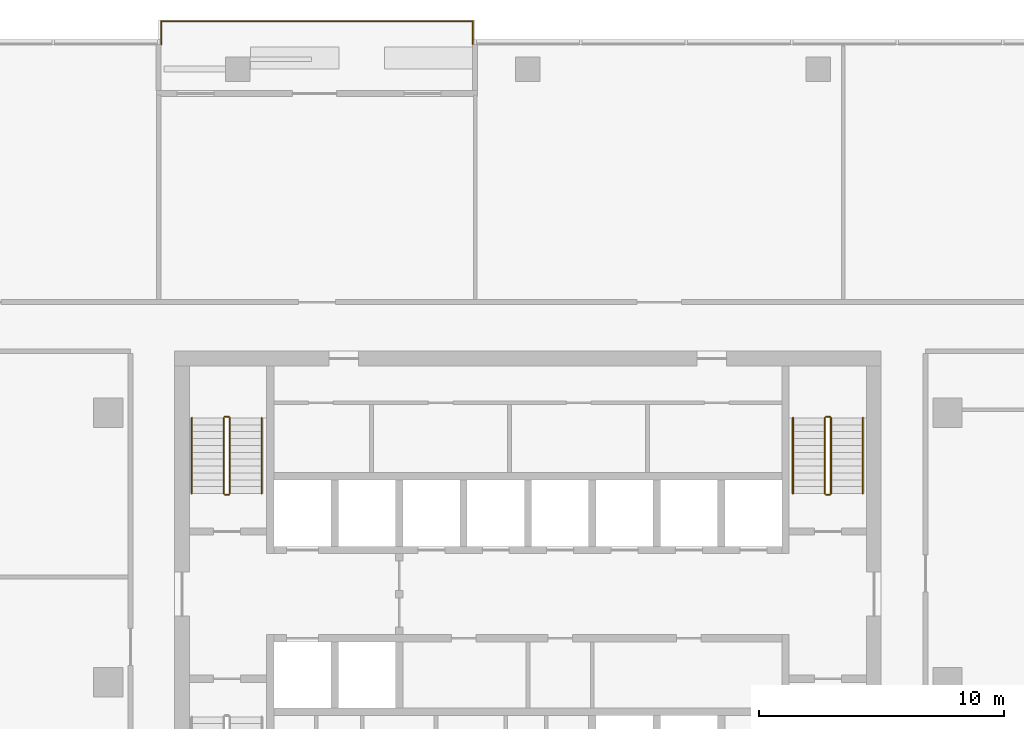
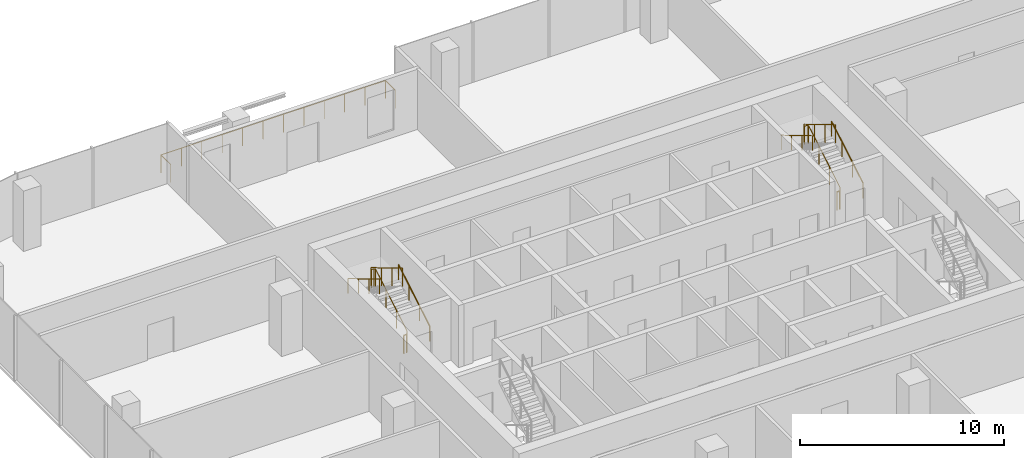
# One storey, part 13 of 13: 11 railings.
"""IFC4 building model written with IfcOpenShell, lengths in metres."""

import ifcopenshell
import ifcopenshell.guid

model = None  # the IFC model being written
_history = None  # IfcOwnerHistory: only IFC2X3 demands one
_inside = {}  # id of a spatial element -> (the spatial element, [elements in it])
_under = {}  # id of a project, library or spatial element -> (it, [spatial elements below it])
_declared = {}  # id of a project -> (the project, [libraries it declares])
_typed = {}  # id of a type object -> (the type object, [elements of that type])
_made_of = {}  # id of a material, layer set ... -> (it, [elements and type objects made of it])


def new_model(schema):
    """Start an empty IFC model of exactly this schema.

    Asked for "IFC4X3", IfcOpenShell would pick the latest addendum, in which some entities
    have other attributes; the version numbers below select the first issue.
    IFC2X3 requires an IfcOwnerHistory on every rooted entity: one is made here for all.
    """
    global model, _history
    if schema == "IFC4X3":
        model = ifcopenshell.file(schema_version=(4, 3, 0, 0))
    else:
        model = ifcopenshell.file(schema=schema)
    _inside.clear()
    _under.clear()
    _declared.clear()
    _typed.clear()
    _made_of.clear()
    _history = None
    if model.schema == "IFC2X3":
        org = make("IfcOrganization", Name="unknown")
        user = make(
            "IfcPersonAndOrganization",
            ThePerson=make("IfcPerson", FamilyName="unknown"),
            TheOrganization=org,
        )
        app = make(
            "IfcApplication",
            ApplicationDeveloper=org,
            Version="unknown",
            ApplicationFullName="unknown",
            ApplicationIdentifier="unknown",
        )
        _history = make(
            "IfcOwnerHistory",
            OwningUser=user,
            OwningApplication=app,
            ChangeAction="ADDED",
            CreationDate=0,
        )
    return model


def make(cls, **values):
    """One entity of the class cls with the attributes given. An attribute that is None is left unset."""
    return model.create_entity(
        cls, **{name: value for name, value in values.items() if value is not None}
    )


def rooted(cls, **values):
    """An entity with a GlobalId (a new one), such as an element, a storey or a relation."""
    return make(cls, GlobalId=ifcopenshell.guid.new(), OwnerHistory=_history, **values)


def si_unit(unit_type, name, prefix=None):
    """IfcSIUnit, for example si_unit("LENGTHUNIT", "METRE", prefix="MILLI")."""
    return make("IfcSIUnit", UnitType=unit_type, Prefix=prefix, Name=name)


def assignment(units):
    """IfcUnitAssignment: the units of a project."""
    return None if units is None else make("IfcUnitAssignment", Units=units)


def point(xyz):
    """IfcCartesianPoint."""
    return None if xyz is None else make("IfcCartesianPoint", Coordinates=xyz)


def direction(xyz):
    """IfcDirection."""
    return None if xyz is None else make("IfcDirection", DirectionRatios=xyz)


def frame(location, z_axis=None, x_axis=None):
    """IfcAxis2Placement3D, a coordinate frame: its origin and axes. An axis left out is left unset."""
    return make(
        "IfcAxis2Placement3D",
        Location=point(location),
        Axis=direction(z_axis),
        RefDirection=direction(x_axis),
    )


def frame_2d(location, x_axis=None):
    """IfcAxis2Placement2D, a coordinate frame in the plane: its origin and x axis."""
    return make(
        "IfcAxis2Placement2D", Location=point(location), RefDirection=direction(x_axis)
    )


def origin():
    """The frame at (0, 0, 0) with its axes left unset."""
    return frame((0.0, 0.0, 0.0))


def origin_2d():
    """The frame at (0, 0) in the plane with its x axis left unset."""
    return frame_2d((0.0, 0.0))


def place(relative_to, where):
    """IfcLocalPlacement: puts the frame where relative to a parent placement (None: the world)."""
    return make(
        "IfcLocalPlacement", PlacementRelTo=relative_to, RelativePlacement=where
    )


def context(
    kind, dimensions, precision=None, world=None, true_north=None, identifier=None
):
    """IfcGeometricRepresentationContext, for example the 3D "Model" context."""
    return make(
        "IfcGeometricRepresentationContext",
        ContextIdentifier=identifier,
        ContextType=kind,
        CoordinateSpaceDimension=dimensions,
        Precision=precision,
        WorldCoordinateSystem=world,
        TrueNorth=true_north,
    )


def subcontext(parent, identifier, kind, view, scale=None):
    """IfcGeometricRepresentationSubContext, for example "Body" below "Model"."""
    return make(
        "IfcGeometricRepresentationSubContext",
        ContextIdentifier=identifier,
        ContextType=kind,
        ParentContext=parent,
        TargetScale=scale,
        TargetView=view,
    )


def project(units=None, contexts=None):
    """IfcProject with its units and contexts."""
    return rooted(
        "IfcProject",
        Name="project",
        RepresentationContexts=contexts,
        UnitsInContext=assignment(units),
    )


def spatial(cls, under=None, at=None, **own):
    """A site, building, storey or space (cls), placed at a placement, below another one or the project."""
    s = rooted(cls, ObjectPlacement=at, **own)
    if under is not None:
        _under.setdefault(under.id(), (under, []))[1].append(s)
    return s


def profile(cls, at=None, kind="AREA", **sizes):
    """A parametric profile (cls). Its sizes go by their IFC names, for example OverallWidth=200.0."""
    return make(cls, ProfileType=kind, Position=at, **sizes)


def circle(**sizes):
    """IfcCircleProfileDef."""
    return profile("IfcCircleProfileDef", **sizes)


def extrude(swept, where, along, depth):
    """IfcExtrudedAreaSolid: the profile swept, set in the frame where, extruded along a direction by depth."""
    return make(
        "IfcExtrudedAreaSolid",
        SweptArea=swept,
        Position=where,
        ExtrudedDirection=direction(along),
        Depth=depth,
    )


def shape(context_of_items, identifier, shape_type, items):
    """IfcShapeRepresentation: the items that make up one representation, for example the "Body"."""
    return make(
        "IfcShapeRepresentation",
        ContextOfItems=context_of_items,
        RepresentationIdentifier=identifier,
        RepresentationType=shape_type,
        Items=items,
    )


def material(Name=None, Category=None):
    """IfcMaterial."""
    return make("IfcMaterial", Name=Name, Category=Category)


def made_of(thing, what):
    """Note that an element or type object is made of a material, layer set ...; save() writes the relation."""
    if what is not None:
        _made_of.setdefault(what.id(), (what, []))[1].append(thing)
    return thing


def type_object(cls, material=None, **own):
    """A type object (cls), such as IfcWallType, which elements share."""
    return made_of(rooted(cls, **own), material)


def element(
    cls,
    number,
    at=None,
    inside=None,
    cuts=None,
    type_object=None,
    material=None,
    context=None,
    identifier="Body",
    shape_type=None,
    held_by="IfcProductDefinitionShape",
    body=None,
    shapes=None,
    **own,
):
    """One element of the class cls, such as IfcWall. Its Tag is "e" and its number.

    at: its placement. inside: the storey or other place that contains it. cuts: it is an
    opening in that element (IfcRelVoidsElement). A single representation is given by context,
    identifier, shape_type and body (its items); several are given by shapes. held_by: the class
    of the entity that holds the representations. save() writes the other relations.
    """
    e = rooted(cls, Tag="e%d" % number, ObjectPlacement=at, **own)
    if body is not None:
        shapes = [shape(context, identifier, shape_type, body)]
    if shapes is not None:
        e.Representation = make(held_by, Representations=shapes)
    if inside is not None:
        _inside.setdefault(inside.id(), (inside, []))[1].append(e)
    if cuts is not None:
        rooted(
            "IfcRelVoidsElement", RelatingBuildingElement=cuts, RelatedOpeningElement=e
        )
    if type_object is not None:
        _typed.setdefault(type_object.id(), (type_object, []))[1].append(e)
    return made_of(e, material)


def aggregate(whole, parts):
    """IfcRelAggregates: a whole, such as a stair, and the parts it consists of."""
    return rooted("IfcRelAggregates", RelatingObject=whole, RelatedObjects=parts)


def save(model, path):
    """Write the relations noted so far, then the file.

    IfcRelAggregates (storeys below a building ...), IfcRelContainedInSpatialStructure (elements
    in a storey), IfcRelDefinesByType, IfcRelAssociatesMaterial and IfcRelDeclares: one each for
    every whole, place, type object, material and project.
    """
    for whole, parts in _under.values():
        aggregate(whole, parts)
    for where, things in _inside.values():
        rooted(
            "IfcRelContainedInSpatialStructure",
            RelatedElements=things,
            RelatingStructure=where,
        )
    for kind, things in _typed.values():
        rooted("IfcRelDefinesByType", RelatedObjects=things, RelatingType=kind)
    for what, things in _made_of.values():
        rooted("IfcRelAssociatesMaterial", RelatedObjects=things, RelatingMaterial=what)
    for by, libraries in _declared.values():
        rooted("IfcRelDeclares", RelatingContext=by, RelatedDefinitions=libraries)
    model.write(path)


model = new_model("IFC4")

# Units and contexts
model_context = context("Model", 3, precision=1e-05, world=origin(), true_north=direction((0.0, 1.0)))
body_context = subcontext(model_context, "Body", "Model", "MODEL_VIEW")
ifc_project = project(units=[si_unit("LENGTHUNIT", "METRE"), si_unit("AREAUNIT", "SQUARE_METRE"), si_unit("VOLUMEUNIT", "CUBIC_METRE"), si_unit("PLANEANGLEUNIT", "RADIAN"), si_unit("MASSUNIT", "GRAM", prefix="KILO")], contexts=[model_context])

# Site, building, storey
site_placement = place(None, origin())
site = spatial("IfcSite", under=ifc_project, at=site_placement, CompositionType="ELEMENT")
building_placement = place(site_placement, origin())
building = spatial("IfcBuilding", under=site, at=building_placement, Name="Mopane Tessera Tower", CompositionType="ELEMENT")
storey_placement = place(building_placement, frame((0.0, 0.0, 307.39990234375)))
storey = spatial("IfcBuildingStorey", under=building, at=storey_placement, Name="L67", CompositionType="ELEMENT", Elevation=307.39990234375)

# Railings
ifc_material_1 = material(Name="Powder-coated steel balustrade", Category="steel")
railing_type_1 = type_object("IfcRailingType", Name="Escape stair guard 1100 mm", PredefinedType="GUARDRAIL", material=ifc_material_1)
railing_1_placement = place(storey_placement, frame((-12.14990234375, 7.699951171875, 0.166748046875)))
element("IfcRailing", 1, at=railing_1_placement, inside=storey, type_object=railing_type_1, Name="L67 ST2 stair guard 1", PredefinedType="GUARDRAIL", context=body_context, shape_type="SweptSolid", body=[
    extrude(circle(Radius=0.02392578125, at=origin_2d()), frame((0.0, 0.0, 1.076171875), z_axis=(0.0, 0.859308565015, 0.511457515432), x_axis=(-1.0, 0.0, 0.0)), (0.0, 0.0, 1.0), 3.58447265625),
    extrude(circle(Radius=0.02392578125, at=origin_2d()), frame((0.0, 3.080078125, 2.9091796875), z_axis=(-0.707106781187, 0.707106781187, 0.0), x_axis=(-0.707106781187, -0.707106781187, 0.0)), (0.0, 0.0, 1.0), 0.07080078125),
    extrude(circle(Radius=0.02392578125, at=origin_2d()), frame((-0.050048828125, 3.130126953125, 2.9091796875), z_axis=(-1.0, 0.0, 0.0), x_axis=(0.0, -1.0, 0.0)), (0.0, 0.0, 1.0), 0.150146484375),
    extrude(circle(Radius=0.02099609375, at=origin_2d()), origin(), (0.0, 0.0, 1.0), 1.052001953125),
    extrude(circle(Radius=0.02099609375, at=origin_2d()), frame((0.0, 1.026611328125, 0.611083984375)), (0.0, 0.0, 1.0), 1.052001953125),
    extrude(circle(Radius=0.02099609375, at=origin_2d()), frame((0.0, 2.053466796875, 1.22216796875)), (0.0, 0.0, 1.0), 1.052001953125),
    extrude(circle(Radius=0.02099609375, at=origin_2d()), frame((0.0, 3.080078125, 1.833251953125)), (0.0, 0.0, 1.0), 1.052001953125),
    extrude(circle(Radius=0.02099609375, at=origin_2d()), frame((-0.050048828125, 3.130126953125, 1.833251953125)), (0.0, 0.0, 1.0), 1.052001953125),
    extrude(circle(Radius=0.02099609375, at=origin_2d()), frame((-0.2001953125, 3.130126953125, 1.833251953125)), (0.0, 0.0, 1.0), 1.052001953125),
])
railing_2_placement = place(storey_placement, frame((-12.39990234375, 10.780029296875, 2.166748046875)))
element("IfcRailing", 2, at=railing_2_placement, inside=storey, type_object=railing_type_1, Name="L67 ST2 stair guard 2", PredefinedType="GUARDRAIL", context=body_context, shape_type="SweptSolid", body=[
    extrude(circle(Radius=0.02392578125, at=origin_2d()), frame((0.0, 0.0, 1.076171875), z_axis=(0.0, -0.859308565015, 0.511457515432), x_axis=(1.0, 0.0, 0.0)), (0.0, 0.0, 1.0), 3.58447265625),
    extrude(circle(Radius=0.02099609375, at=origin_2d()), origin(), (0.0, 0.0, 1.0), 1.052001953125),
    extrude(circle(Radius=0.02099609375, at=origin_2d()), frame((0.0, -1.026611328125, 0.611083984375)), (0.0, 0.0, 1.0), 1.052001953125),
    extrude(circle(Radius=0.02099609375, at=origin_2d()), frame((0.0, -2.053466796875, 1.22216796875)), (0.0, 0.0, 1.0), 1.052001953125),
    extrude(circle(Radius=0.02099609375, at=origin_2d()), frame((0.0, -3.080078125, 1.833251953125)), (0.0, 0.0, 1.0), 1.052001953125),
])
railing_3_placement = place(storey_placement, frame((-12.199951171875, 7.64990234375, 0.0)))
element("IfcRailing", 3, at=railing_3_placement, inside=storey, type_object=railing_type_1, Name="L67 ST2 stair guard 3", PredefinedType="GUARDRAIL", context=body_context, shape_type="SweptSolid", body=[
    extrude(circle(Radius=0.02392578125, at=origin_2d()), frame((0.0, 0.0, 1.076171875), z_axis=(-1.0, 0.0, 0.0), x_axis=(0.0, -1.0, 0.0)), (0.0, 0.0, 1.0), 0.150146484375),
    extrude(circle(Radius=0.02099609375, at=origin_2d()), origin(), (0.0, 0.0, 1.0), 1.052001953125),
    extrude(circle(Radius=0.02099609375, at=origin_2d()), frame((-0.150146484375, 0.0, 0.0)), (0.0, 0.0, 1.0), 1.052001953125),
])
railing_4_placement = place(storey_placement, frame((12.35009765625, 7.699951171875, 0.166748046875)))
element("IfcRailing", 4, at=railing_4_placement, inside=storey, type_object=railing_type_1, Name="L67 ST4 stair guard 1", PredefinedType="GUARDRAIL", context=body_context, shape_type="SweptSolid", body=[
    extrude(circle(Radius=0.02392578125, at=origin_2d()), frame((0.0, 0.0, 1.076171875), z_axis=(0.0, 0.859308565015, 0.511457515432), x_axis=(-1.0, 0.0, 0.0)), (0.0, 0.0, 1.0), 3.58447265625),
    extrude(circle(Radius=0.02392578125, at=origin_2d()), frame((0.0, 3.080078125, 2.9091796875), z_axis=(-0.707106781187, 0.707106781187, 0.0), x_axis=(-0.707106781187, -0.707106781187, 0.0)), (0.0, 0.0, 1.0), 0.07080078125),
    extrude(circle(Radius=0.02392578125, at=origin_2d()), frame((-0.050048828125, 3.130126953125, 2.9091796875), z_axis=(-1.0, 0.0, 0.0), x_axis=(0.0, -1.0, 0.0)), (0.0, 0.0, 1.0), 0.150146484375),
    extrude(circle(Radius=0.02099609375, at=origin_2d()), origin(), (0.0, 0.0, 1.0), 1.052001953125),
    extrude(circle(Radius=0.02099609375, at=origin_2d()), frame((0.0, 1.026611328125, 0.611083984375)), (0.0, 0.0, 1.0), 1.052001953125),
    extrude(circle(Radius=0.02099609375, at=origin_2d()), frame((0.0, 2.053466796875, 1.22216796875)), (0.0, 0.0, 1.0), 1.052001953125),
    extrude(circle(Radius=0.02099609375, at=origin_2d()), frame((0.0, 3.080078125, 1.833251953125)), (0.0, 0.0, 1.0), 1.052001953125),
    extrude(circle(Radius=0.02099609375, at=origin_2d()), frame((-0.050048828125, 3.130126953125, 1.833251953125)), (0.0, 0.0, 1.0), 1.052001953125),
    extrude(circle(Radius=0.02099609375, at=origin_2d()), frame((-0.2001953125, 3.130126953125, 1.833251953125)), (0.0, 0.0, 1.0), 1.052001953125),
])
railing_5_placement = place(storey_placement, frame((12.10009765625, 10.780029296875, 2.166748046875)))
element("IfcRailing", 5, at=railing_5_placement, inside=storey, type_object=railing_type_1, Name="L67 ST4 stair guard 2", PredefinedType="GUARDRAIL", context=body_context, shape_type="SweptSolid", body=[
    extrude(circle(Radius=0.02392578125, at=origin_2d()), frame((0.0, 0.0, 1.076171875), z_axis=(0.0, -0.859308565015, 0.511457515432), x_axis=(1.0, 0.0, 0.0)), (0.0, 0.0, 1.0), 3.58447265625),
    extrude(circle(Radius=0.02099609375, at=origin_2d()), origin(), (0.0, 0.0, 1.0), 1.052001953125),
    extrude(circle(Radius=0.02099609375, at=origin_2d()), frame((0.0, -1.026611328125, 0.611083984375)), (0.0, 0.0, 1.0), 1.052001953125),
    extrude(circle(Radius=0.02099609375, at=origin_2d()), frame((0.0, -2.053466796875, 1.22216796875)), (0.0, 0.0, 1.0), 1.052001953125),
    extrude(circle(Radius=0.02099609375, at=origin_2d()), frame((0.0, -3.080078125, 1.833251953125)), (0.0, 0.0, 1.0), 1.052001953125),
])
railing_6_placement = place(storey_placement, frame((12.300048828125, 7.64990234375, 0.0)))
element("IfcRailing", 6, at=railing_6_placement, inside=storey, type_object=railing_type_1, Name="L67 ST4 stair guard 3", PredefinedType="GUARDRAIL", context=body_context, shape_type="SweptSolid", body=[
    extrude(circle(Radius=0.02392578125, at=origin_2d()), frame((0.0, 0.0, 1.076171875), z_axis=(-1.0, 0.0, 0.0), x_axis=(0.0, -1.0, 0.0)), (0.0, 0.0, 1.0), 0.150146484375),
    extrude(circle(Radius=0.02099609375, at=origin_2d()), origin(), (0.0, 0.0, 1.0), 1.052001953125),
    extrude(circle(Radius=0.02099609375, at=origin_2d()), frame((-0.150146484375, 0.0, 0.0)), (0.0, 0.0, 1.0), 1.052001953125),
])
ifc_material_2 = material(Name="Powder-coated steel balustrade", Category="steel")
railing_type_2 = type_object("IfcRailingType", Name="Escape stair handrail 900 mm", PredefinedType="HANDRAIL", material=ifc_material_2)
railing_7_placement = place(storey_placement, frame((-10.85009765625, 7.699951171875, 0.166748046875)))
element("IfcRailing", 7, at=railing_7_placement, inside=storey, type_object=railing_type_2, Name="L67 ST2 stair handrail 1", PredefinedType="HANDRAIL", context=body_context, shape_type="SweptSolid", body=[
    extrude(circle(Radius=0.02392578125, at=origin_2d()), frame((0.0, 0.0, 0.8759765625), z_axis=(0.0, 0.859308565015, 0.511457515432), x_axis=(-1.0, 0.0, 0.0)), (0.0, 0.0, 1.0), 3.58447265625),
    extrude(circle(Radius=0.02099609375, at=origin_2d()), origin(), (0.0, 0.0, 1.0), 0.851806640625),
    extrude(circle(Radius=0.02099609375, at=origin_2d()), frame((0.0, 1.026611328125, 0.611083984375)), (0.0, 0.0, 1.0), 0.851806640625),
    extrude(circle(Radius=0.02099609375, at=origin_2d()), frame((0.0, 2.053466796875, 1.22216796875)), (0.0, 0.0, 1.0), 0.851806640625),
    extrude(circle(Radius=0.02099609375, at=origin_2d()), frame((0.0, 3.080078125, 1.833251953125)), (0.0, 0.0, 1.0), 0.851806640625),
])
railing_8_placement = place(storey_placement, frame((-13.699951171875, 10.780029296875, 2.166748046875)))
element("IfcRailing", 8, at=railing_8_placement, inside=storey, type_object=railing_type_2, Name="L67 ST2 stair handrail 2", PredefinedType="HANDRAIL", context=body_context, shape_type="SweptSolid", body=[
    extrude(circle(Radius=0.02392578125, at=origin_2d()), frame((0.0, 0.0, 0.8759765625), z_axis=(0.0, -0.859308565015, 0.511457515432), x_axis=(1.0, 0.0, 0.0)), (0.0, 0.0, 1.0), 3.58447265625),
    extrude(circle(Radius=0.02099609375, at=origin_2d()), origin(), (0.0, 0.0, 1.0), 0.851806640625),
    extrude(circle(Radius=0.02099609375, at=origin_2d()), frame((0.0, -1.026611328125, 0.611083984375)), (0.0, 0.0, 1.0), 0.851806640625),
    extrude(circle(Radius=0.02099609375, at=origin_2d()), frame((0.0, -2.053466796875, 1.22216796875)), (0.0, 0.0, 1.0), 0.851806640625),
    extrude(circle(Radius=0.02099609375, at=origin_2d()), frame((0.0, -3.080078125, 1.833251953125)), (0.0, 0.0, 1.0), 0.851806640625),
])
railing_9_placement = place(storey_placement, frame((13.64990234375, 7.699951171875, 0.166748046875)))
element("IfcRailing", 9, at=railing_9_placement, inside=storey, type_object=railing_type_2, Name="L67 ST4 stair handrail 1", PredefinedType="HANDRAIL", context=body_context, shape_type="SweptSolid", body=[
    extrude(circle(Radius=0.02392578125, at=origin_2d()), frame((0.0, 0.0, 0.8759765625), z_axis=(0.0, 0.859308565015, 0.511457515432), x_axis=(-1.0, 0.0, 0.0)), (0.0, 0.0, 1.0), 3.58447265625),
    extrude(circle(Radius=0.02099609375, at=origin_2d()), origin(), (0.0, 0.0, 1.0), 0.851806640625),
    extrude(circle(Radius=0.02099609375, at=origin_2d()), frame((0.0, 1.026611328125, 0.611083984375)), (0.0, 0.0, 1.0), 0.851806640625),
    extrude(circle(Radius=0.02099609375, at=origin_2d()), frame((0.0, 2.053466796875, 1.22216796875)), (0.0, 0.0, 1.0), 0.851806640625),
    extrude(circle(Radius=0.02099609375, at=origin_2d()), frame((0.0, 3.080078125, 1.833251953125)), (0.0, 0.0, 1.0), 0.851806640625),
])
railing_10_placement = place(storey_placement, frame((10.800048828125, 10.780029296875, 2.166748046875)))
element("IfcRailing", 10, at=railing_10_placement, inside=storey, type_object=railing_type_2, Name="L67 ST4 stair handrail 2", PredefinedType="HANDRAIL", context=body_context, shape_type="SweptSolid", body=[
    extrude(circle(Radius=0.02392578125, at=origin_2d()), frame((0.0, 0.0, 0.8759765625), z_axis=(0.0, -0.859308565015, 0.511457515432), x_axis=(1.0, 0.0, 0.0)), (0.0, 0.0, 1.0), 3.58447265625),
    extrude(circle(Radius=0.02099609375, at=origin_2d()), origin(), (0.0, 0.0, 1.0), 0.851806640625),
    extrude(circle(Radius=0.02099609375, at=origin_2d()), frame((0.0, -1.026611328125, 0.611083984375)), (0.0, 0.0, 1.0), 0.851806640625),
    extrude(circle(Radius=0.02099609375, at=origin_2d()), frame((0.0, -2.053466796875, 1.22216796875)), (0.0, 0.0, 1.0), 0.851806640625),
    extrude(circle(Radius=0.02099609375, at=origin_2d()), frame((0.0, -3.080078125, 1.833251953125)), (0.0, 0.0, 1.0), 0.851806640625),
])
ifc_material_3 = material(Name="Stainless steel S316", Category="steel")
railing_type_3 = type_object("IfcRailingType", Name="Terrace guard 1100", PredefinedType="GUARDRAIL", material=ifc_material_3)
railing_11_placement = place(storey_placement, frame((-2.25, 26.0, 0.0)))
element("IfcRailing", 11, at=railing_11_placement, inside=storey, type_object=railing_type_3, Name="e:nw:L67:N2:guard", PredefinedType="GUARDRAIL", context=body_context, shape_type="SweptSolid", body=[
    extrude(circle(Radius=0.02392578125, at=origin_2d()), frame((0.0, 0.0, 1.076171875), z_axis=(0.0, 1.0, 0.0), x_axis=(-1.0, 0.0, 0.0)), (0.0, 0.0, 1.0), 0.949951171875),
    extrude(circle(Radius=0.02392578125, at=origin_2d()), frame((0.0, 0.949951171875, 1.076171875), z_axis=(-1.0, 0.0, 0.0), x_axis=(0.0, -1.0, 0.0)), (0.0, 0.0, 1.0), 12.699951171875),
    extrude(circle(Radius=0.02392578125, at=origin_2d()), frame((-12.699951171875, 0.949951171875, 1.076171875), z_axis=(0.0, -1.0, 0.0), x_axis=(1.0, 0.0, 0.0)), (0.0, 0.0, 1.0), 0.949951171875),
    extrude(circle(Radius=0.02099609375, at=origin_2d()), origin(), (0.0, 0.0, 1.0), 1.052001953125),
    extrude(circle(Radius=0.02099609375, at=origin_2d()), frame((0.0, 0.949951171875, 0.0)), (0.0, 0.0, 1.0), 1.052001953125),
    extrude(circle(Radius=0.02099609375, at=origin_2d()), frame((-1.154541015625, 0.949951171875, 0.0)), (0.0, 0.0, 1.0), 1.052001953125),
    extrude(circle(Radius=0.02099609375, at=origin_2d()), frame((-2.30908203125, 0.949951171875, 0.0)), (0.0, 0.0, 1.0), 1.052001953125),
    extrude(circle(Radius=0.02099609375, at=origin_2d()), frame((-3.463623046875, 0.949951171875, 0.0)), (0.0, 0.0, 1.0), 1.052001953125),
    extrude(circle(Radius=0.02099609375, at=origin_2d()), frame((-4.6181640625, 0.949951171875, 0.0)), (0.0, 0.0, 1.0), 1.052001953125),
    extrude(circle(Radius=0.02099609375, at=origin_2d()), frame((-5.772705078125, 0.949951171875, 0.0)), (0.0, 0.0, 1.0), 1.052001953125),
    extrude(circle(Radius=0.02099609375, at=origin_2d()), frame((-6.92724609375, 0.949951171875, 0.0)), (0.0, 0.0, 1.0), 1.052001953125),
    extrude(circle(Radius=0.02099609375, at=origin_2d()), frame((-8.081787109375, 0.949951171875, 0.0)), (0.0, 0.0, 1.0), 1.052001953125),
    extrude(circle(Radius=0.02099609375, at=origin_2d()), frame((-9.236328125, 0.949951171875, 0.0)), (0.0, 0.0, 1.0), 1.052001953125),
    extrude(circle(Radius=0.02099609375, at=origin_2d()), frame((-10.390869140625, 0.949951171875, 0.0)), (0.0, 0.0, 1.0), 1.052001953125),
    extrude(circle(Radius=0.02099609375, at=origin_2d()), frame((-11.54541015625, 0.949951171875, 0.0)), (0.0, 0.0, 1.0), 1.052001953125),
    extrude(circle(Radius=0.02099609375, at=origin_2d()), frame((-12.699951171875, 0.949951171875, 0.0)), (0.0, 0.0, 1.0), 1.052001953125),
    extrude(circle(Radius=0.02099609375, at=origin_2d()), frame((-12.699951171875, 0.0, 0.0)), (0.0, 0.0, 1.0), 1.052001953125),
])

save(model, "model.ifc")
